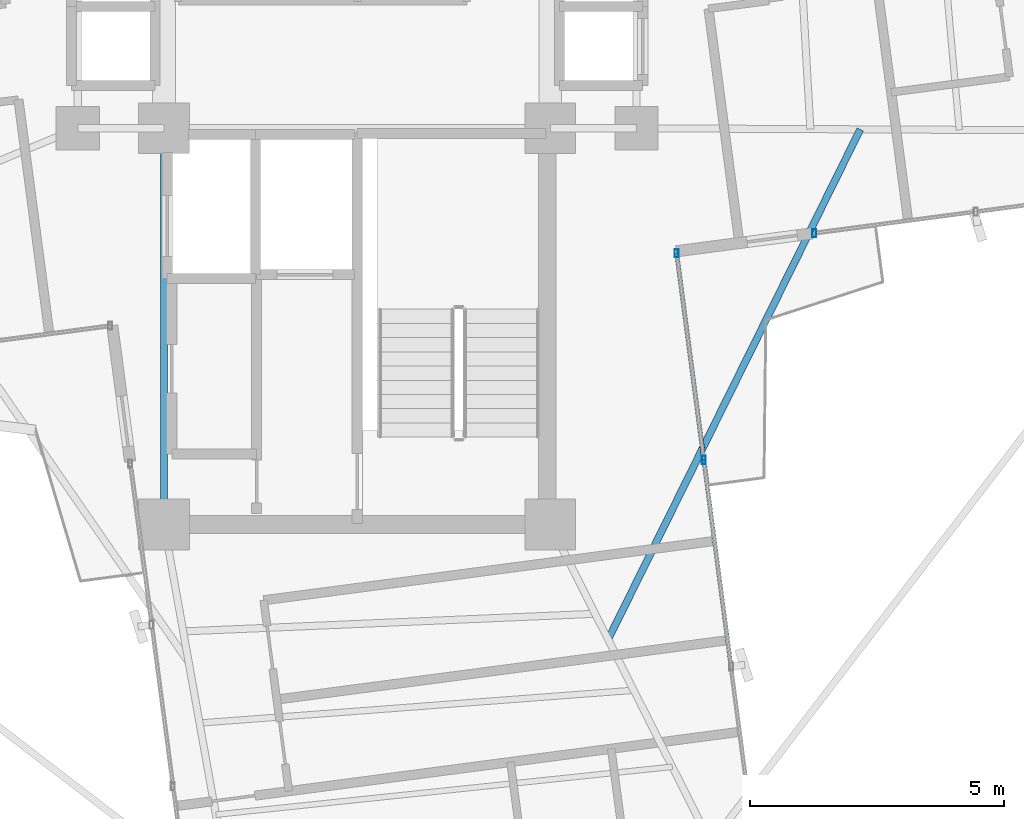
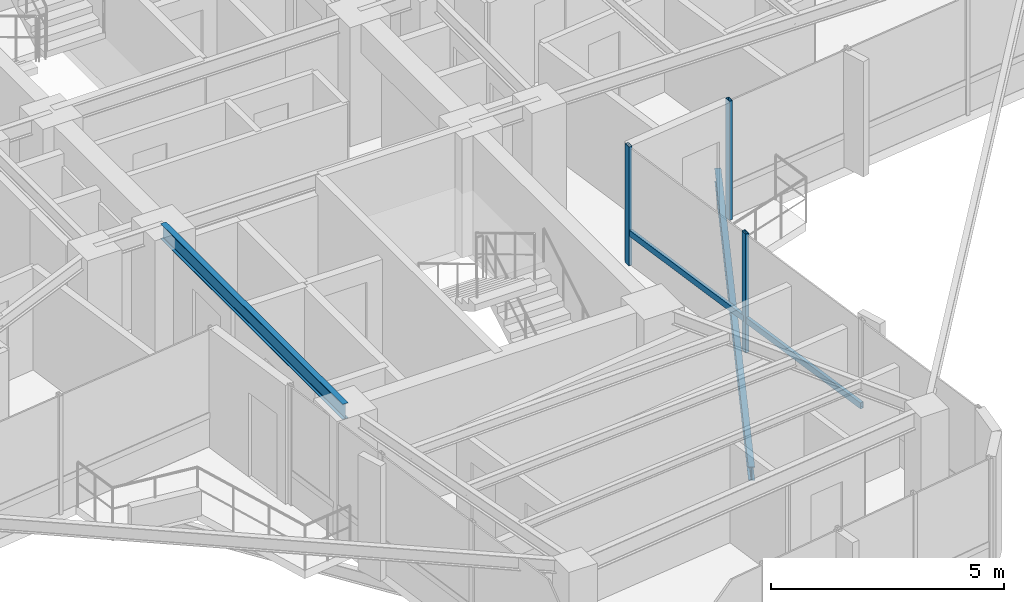
# One storey, part 5 of 22: 5 members, 2 beams, 2 elements without a shape of their own.
"""IFC4 building model written with IfcOpenShell, lengths in metres."""

from ifc_helpers import new_model, si_unit, direction, frame, origin, origin_2d, place, context, subcontext, project, spatial, hollow_rectangle, i_section, extrude, source, transform, mapped, material, material_profile, profile_set, type_object, element, aggregate, save


model = new_model("IFC4")

# Units and contexts
model_context = context("Model", 3, precision=1e-05, world=origin(), true_north=direction((0.0, 1.0)))
body_context = subcontext(model_context, "Body", "Model", "MODEL_VIEW")
ifc_project = project(units=[si_unit("LENGTHUNIT", "METRE"), si_unit("AREAUNIT", "SQUARE_METRE"), si_unit("VOLUMEUNIT", "CUBIC_METRE"), si_unit("PLANEANGLEUNIT", "RADIAN"), si_unit("MASSUNIT", "GRAM", prefix="KILO")], contexts=[model_context])

# Site, building, storey
site_placement = place(None, origin())
site = spatial("IfcSite", under=ifc_project, at=site_placement, CompositionType="ELEMENT")
building_placement = place(site_placement, origin())
building = spatial("IfcBuilding", under=site, at=building_placement, Name="Sahyath Konkavel Grand Hotel", CompositionType="ELEMENT")
storey_placement = place(building_placement, frame((0.0, 0.0, 257.89990234375)))
storey = spatial("IfcBuildingStorey", under=building, at=storey_placement, Name="L72", CompositionType="ELEMENT", Elevation=257.89990234375)

# Beam
ifc_material_1 = material(Name="Steel E350", Category="steel")
ifc_material_profile_1 = material_profile(ifc_material_1, i_section(OverallWidth=0.139892578125, OverallDepth=0.39990234375, WebThickness=0.0087890625, FlangeThickness=0.01611328125, FilletRadius=0.013916015625, at=origin_2d()), Name="ISMB 400")
ifc_profile_set_1 = profile_set([ifc_material_profile_1], Name="Steel E350")
beam_type_1 = type_object("IfcBeamType", Name="BM-ISMB400", PredefinedType="BEAM", material=ifc_profile_set_1)
shared_shape_1 = source(origin(), body_context, "Body", "SweptSolid", [
    extrude(i_section(OverallWidth=0.139892578125, OverallDepth=0.39990234375, WebThickness=0.0087890625, FlangeThickness=0.01611328125, FilletRadius=0.013916015625, at=origin_2d()), origin(), (0.0, 0.0, 1.0), 7.800048828125),
])
beam_1_placement = place(storey_placement, frame((-3.800048828125, -10.199951171875, 2.91015625), z_axis=(0.0, 1.0, 0.0), x_axis=(-1.0, 0.0, 0.0)))
element("IfcBeam", 1, at=beam_1_placement, inside=storey, type_object=beam_type_1, Name="str:bm:L72:SC-W", PredefinedType="BEAM", context=body_context, shape_type="MappedRepresentation", body=[
    mapped(shared_shape_1, transform((0.0, 0.0, 0.0), scale=1.0)),
])

# Curtain wall, member
ifc_material_2 = material(Name="Anodised Bronze Aluminium & Low-E Glazing", Category="aluminium")
curtain_wall_type = type_object("IfcCurtainWallType", Name="CW-ZONE4", PredefinedType="NOTDEFINED", material=ifc_material_2)
curtain_wall_1_placement = place(storey_placement, origin())
curtain_wall_1 = element("IfcCurtainWall", 2, at=curtain_wall_1_placement, inside=storey, type_object=curtain_wall_type, Name="L72 Unitised Curtain Wall F0", PredefinedType="NOTDEFINED")
ifc_material_3 = material(Name="Anodised Bronze Aluminium", Category="aluminium")
ifc_material_profile_2 = material_profile(ifc_material_3, hollow_rectangle(XDim=0.080078125, YDim=0.159912109375, WallThickness=0.006103515625, at=origin_2d()), Name="RHS 160x80x6")
ifc_profile_set_2 = profile_set([ifc_material_profile_2], Name="Anodised Bronze Aluminium")
member_type_1 = type_object("IfcMemberType", Name="CW-MUL-160", PredefinedType="MULLION", material=ifc_profile_set_2)
shared_shape_2 = source(origin(), body_context, "Body", "SweptSolid", [
    extrude(hollow_rectangle(XDim=0.080078125, YDim=0.159912109375, WallThickness=0.006103515625, at=origin_2d()), origin(), (0.0, 0.0, 1.0), 3.110107421875),
])
member_1_placement = place(storey_placement, frame((8.99951171875, -4.46337890625, 0.0), z_axis=(0.0, 0.0, 1.0), x_axis=(1.0, 0.0, 0.0)))
member_1 = element("IfcMember", 3, at=member_1_placement, type_object=member_type_1, Name="L72 Curtain Wall Mullion F0-0", PredefinedType="MULLION", context=body_context, shape_type="MappedRepresentation", body=[
    mapped(shared_shape_2, transform((0.0, 0.0, 0.0), scale=1.0)),
])
aggregate(curtain_wall_1, [member_1])

# Curtain wall, members
curtain_wall_2_placement = place(storey_placement, origin())
curtain_wall_2 = element("IfcCurtainWall", 4, at=curtain_wall_2_placement, inside=storey, type_object=curtain_wall_type, Name="L72 Unitised Curtain Wall F31", PredefinedType="NOTDEFINED")
member_2_placement = place(storey_placement, frame((6.82373046875, -8.928955078125, 0.0), z_axis=(0.0, 0.0, 1.0), x_axis=(1.0, 0.0, 0.0)))
member_2 = element("IfcMember", 5, at=member_2_placement, type_object=member_type_1, Name="L72 Curtain Wall Mullion F31-2", PredefinedType="MULLION", context=body_context, shape_type="MappedRepresentation", body=[
    mapped(shared_shape_2, transform((0.0, 0.0, 0.0), scale=1.0)),
])
member_3_placement = place(storey_placement, frame((6.2880859375, -4.86083984375, 0.0), z_axis=(0.0, 0.0, 1.0), x_axis=(1.0, 0.0, 0.0)))
member_3 = element("IfcMember", 6, at=member_3_placement, type_object=member_type_1, Name="L72 Curtain Wall Mullion F31-3", PredefinedType="MULLION", context=body_context, shape_type="MappedRepresentation", body=[
    mapped(shared_shape_2, transform((0.0, 0.0, 0.0), scale=1.0)),
])
ifc_material_profile_3 = material_profile(ifc_material_3, hollow_rectangle(XDim=0.080078125, YDim=0.159912109375, WallThickness=0.006103515625, at=origin_2d()), Name="RHS 160x80x6")
ifc_profile_set_3 = profile_set([ifc_material_profile_3], Name="Anodised Bronze Aluminium")
member_type_2 = type_object("IfcMemberType", Name="CW-TRN-160", PredefinedType="USERDEFINED", material=ifc_profile_set_3)
shared_shape_3 = source(origin(), body_context, "Body", "SweptSolid", [
    extrude(hollow_rectangle(XDim=0.080078125, YDim=0.159912109375, WallThickness=0.006103515625, at=origin_2d()), origin(), (0.0, 0.0, 1.0), 4.103271484375),
])
member_4_placement = place(storey_placement, frame((6.82373046875, -8.928955078125, 0.85009765625), z_axis=(-0.130542242661, 0.991442748161, 0.0), x_axis=(-0.991442748161, -0.130542242661, 0.0)))
member_4 = element("IfcMember", 7, at=member_4_placement, type_object=member_type_2, Name="L72 Curtain Wall Transom F31-2-spandrel", ObjectType="TRANSOM", PredefinedType="USERDEFINED", context=body_context, shape_type="MappedRepresentation", body=[
    mapped(shared_shape_3, transform((0.0, 0.0, 0.0), scale=1.0)),
])
shared_shape_4 = source(origin(), body_context, "Body", "SweptSolid", [
    extrude(hollow_rectangle(XDim=0.080078125, YDim=0.159912109375, WallThickness=0.006103515625, at=origin_2d()), origin(), (0.0, 0.0, 1.0), 4.103515625),
])
member_5_placement = place(storey_placement, frame((7.359619140625, -12.997314453125, 0.85009765625), z_axis=(-0.130593024052, 0.991436060505, 0.0), x_axis=(-0.991436060505, -0.130593024052, 0.0)))
member_5 = element("IfcMember", 8, at=member_5_placement, type_object=member_type_2, Name="L72 Curtain Wall Transom F31-1-spandrel", ObjectType="TRANSOM", PredefinedType="USERDEFINED", context=body_context, shape_type="MappedRepresentation", body=[
    mapped(shared_shape_4, transform((0.0, 0.0, 0.0), scale=1.0)),
])
aggregate(curtain_wall_2, [member_2, member_3, member_5, member_4])

# Beam
ifc_material_profile_4 = material_profile(ifc_material_1, i_section(OverallWidth=0.139892578125, OverallDepth=0.35009765625, WebThickness=0.008056640625, FlangeThickness=0.01416015625, FilletRadius=0.013916015625, at=origin_2d()), Name="ISMB 350")
ifc_profile_set_4 = profile_set([ifc_material_profile_4], Name="Steel E350")
beam_type_2 = type_object("IfcBeamType", Name="BM-BALC-CANT", PredefinedType="BEAM", material=ifc_profile_set_4)
shared_shape_5 = source(origin(), body_context, "Body", "SweptSolid", [
    extrude(i_section(OverallWidth=0.139892578125, OverallDepth=0.35009765625, WebThickness=0.008056640625, FlangeThickness=0.01416015625, FilletRadius=0.013916015625, at=origin_2d()), origin(), (0.0, 0.0, 1.0), 11.19970703125),
])
beam_2_placement = place(storey_placement, frame((4.939453125, -12.462646484375, -0.414794921875), z_axis=(0.443040790725, 0.896501454407, 0.0), x_axis=(-0.896501454407, 0.443040790725, 0.0)))
element("IfcBeam", 9, at=beam_2_placement, inside=storey, type_object=beam_type_2, Name="L72 Balcony Cantilever Support Beam SE", PredefinedType="BEAM", context=body_context, shape_type="MappedRepresentation", body=[
    mapped(shared_shape_5, transform((0.0, 0.0, 0.0), scale=1.0)),
])

save(model, "model.ifc")
